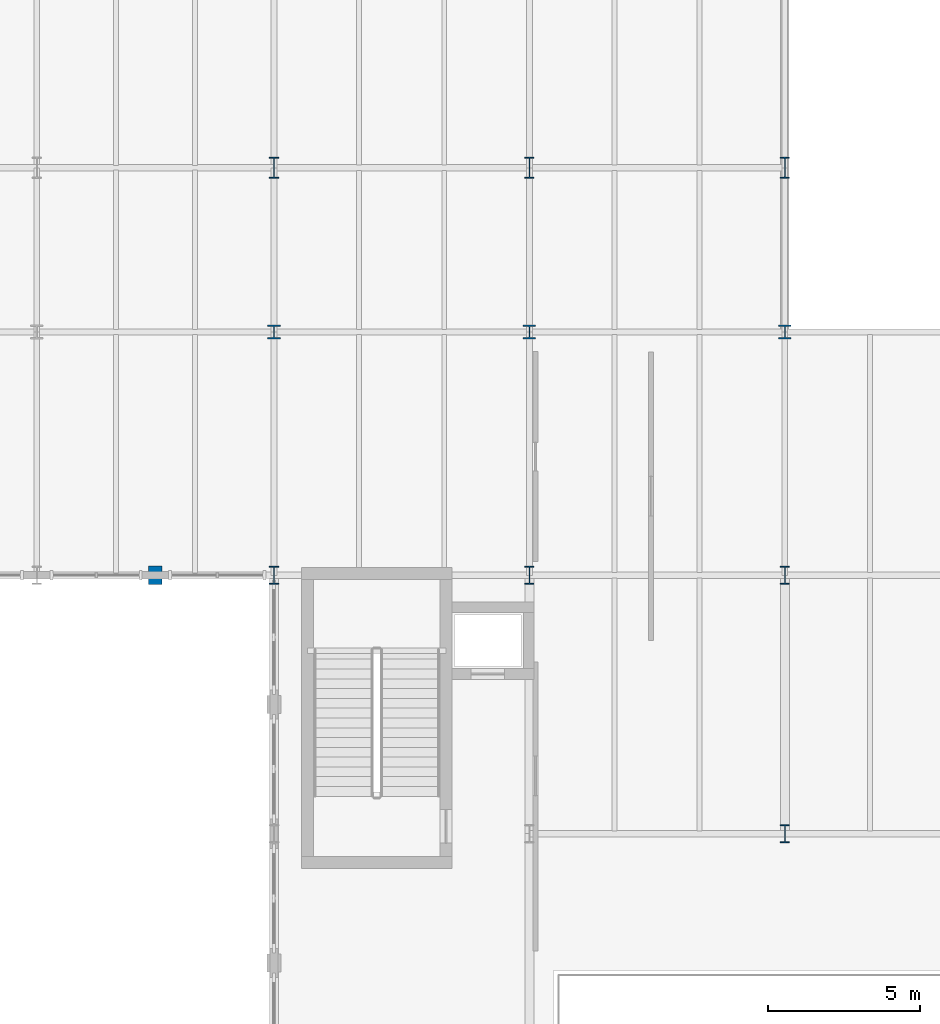
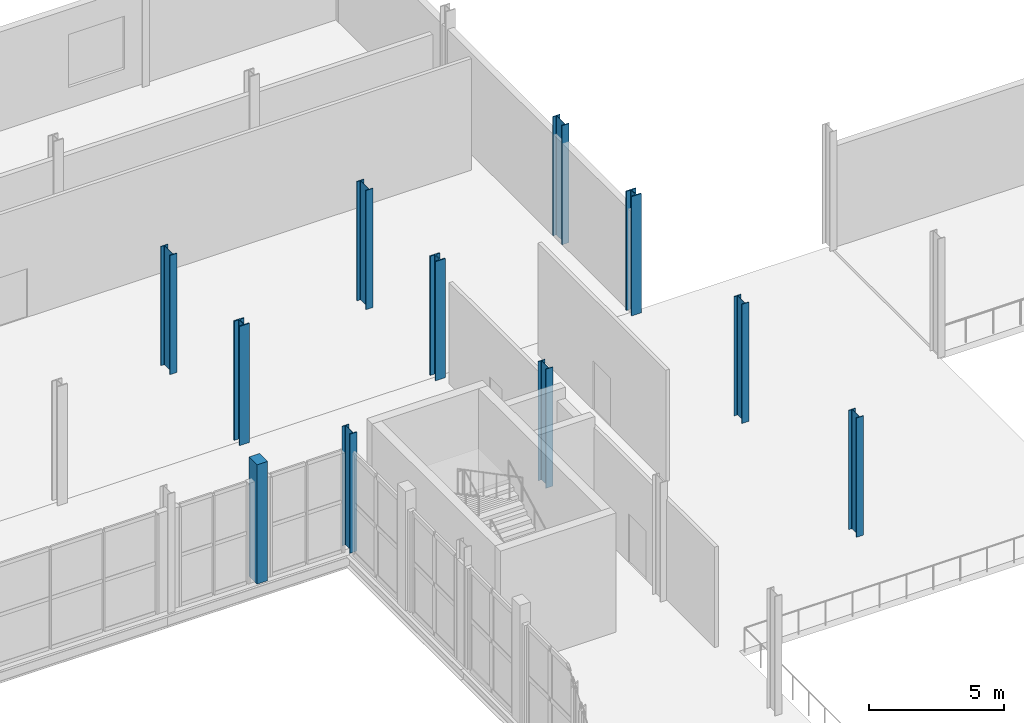
# One storey, part 11 of 78: 11 columns.
"""IFC4 building model written with IfcOpenShell, lengths in metres."""

from ifc_helpers import new_model, si_unit, direction, frame, origin, origin_2d, place, context, subcontext, project, spatial, rectangle, i_section, extrude, material, material_profile, profile_set, type_object, element, save


model = new_model("IFC4")

# Units and contexts
model_context = context("Model", 3, precision=1e-05, world=origin(), true_north=direction((0.0, 1.0)))
body_context = subcontext(model_context, "Body", "Model", "MODEL_VIEW")
ifc_project = project(units=[si_unit("LENGTHUNIT", "METRE"), si_unit("AREAUNIT", "SQUARE_METRE"), si_unit("VOLUMEUNIT", "CUBIC_METRE"), si_unit("PLANEANGLEUNIT", "RADIAN"), si_unit("MASSUNIT", "GRAM", prefix="KILO")], contexts=[model_context])

# Site, building, storey
site_placement = place(None, origin())
site = spatial("IfcSite", under=ifc_project, at=site_placement, CompositionType="ELEMENT")
building_placement = place(site_placement, origin())
building = spatial("IfcBuilding", under=site, at=building_placement, Name="Sefraquen Railside Congress Hotel", CompositionType="ELEMENT")
storey_placement = place(building_placement, frame((0.0, 0.0, 6.0)))
storey = spatial("IfcBuildingStorey", under=building, at=storey_placement, Name="L01", CompositionType="ELEMENT", Elevation=6.0)

# Columns
ifc_material_1 = material(Name="Steel S355J2", Category="steel")
ifc_material_profile_1 = material_profile(ifc_material_1, i_section(OverallWidth=0.416015625, OverallDepth=0.446044921875, WebThickness=0.035888671875, FlangeThickness=0.048095703125, FilletRadius=0.014892578125, at=origin_2d()), Name="HD 400x509")
ifc_profile_set_1 = profile_set([ifc_material_profile_1], Name="Steel S355J2")
column_type_1 = type_object("IfcColumnType", Name="TC-HD-509", PredefinedType="COLUMN", material=ifc_profile_set_1)
for number, where, z_axis, x_axis, name in (
    (1, (103.199951171875, 96.0, 0.0), (0.0, 0.0, 1.0), (1.0, 0.0, 0.0), "Structural column 14-M L01"),
    (2, (111.60009765625, 96.0, 0.0), (0.0, 0.0, 1.0), (1.0, 0.0, 0.0), "Structural column 15-M L01"),
    (3, (120.0, 96.0, 0.0), (0.0, 0.0, 1.0), (1.0, 0.0, 0.0), "Structural column 16-M L01"),
):
    element("IfcColumn", number, at=place(storey_placement, frame(where, z_axis=z_axis, x_axis=x_axis)), inside=storey, type_object=column_type_1, Name=name, PredefinedType="COLUMN", context=body_context, shape_type="SweptSolid", body=[
        extrude(i_section(OverallWidth=0.416015625, OverallDepth=0.446044921875, WebThickness=0.035888671875, FlangeThickness=0.048095703125, FilletRadius=0.014892578125, at=origin_2d()), origin(), (0.0, 0.0, 1.0), 5.39990234375),
    ])
ifc_material_2 = material(Name="Steel S355JR", Category="steel")
ifc_material_profile_2 = material_profile(ifc_material_2, i_section(OverallWidth=0.300048828125, OverallDepth=0.60009765625, WebThickness=0.015380859375, FlangeThickness=0.030029296875, FilletRadius=0.027099609375, at=origin_2d()), Name="HEB 600")
ifc_profile_set_2 = profile_set([ifc_material_profile_2], Name="Steel S355JR")
column_type_2 = type_object("IfcColumnType", Name="TC-HEB-600", PredefinedType="COLUMN", material=ifc_profile_set_2)
for number, where, z_axis, x_axis, name in (
    (4, (103.199951171875, 88.0, 0.0), (0.0, 0.0, 1.0), (1.0, 0.0, 0.0), "Structural column 14-L L01"),
    (5, (111.60009765625, 88.0, 0.0), (0.0, 0.0, 1.0), (1.0, 0.0, 0.0), "Structural column 15-L L01"),
    (6, (120.0, 79.5, 0.0), (0.0, 0.0, 1.0), (1.0, 0.0, 0.0), "Structural column 16-K L01"),
    (7, (120.0, 88.0, 0.0), (0.0, 0.0, 1.0), (1.0, 0.0, 0.0), "Structural column 16-L L01"),
):
    element("IfcColumn", number, at=place(storey_placement, frame(where, z_axis=z_axis, x_axis=x_axis)), inside=storey, type_object=column_type_2, Name=name, PredefinedType="COLUMN", context=body_context, shape_type="SweptSolid", body=[
        extrude(i_section(OverallWidth=0.300048828125, OverallDepth=0.60009765625, WebThickness=0.015380859375, FlangeThickness=0.030029296875, FilletRadius=0.027099609375, at=origin_2d()), origin(), (0.0, 0.0, 1.0), 5.39990234375),
    ])
ifc_material_profile_3 = material_profile(ifc_material_2, i_section(OverallWidth=0.300048828125, OverallDepth=0.699951171875, WebThickness=0.01708984375, FlangeThickness=0.031982421875, FilletRadius=0.027099609375, at=origin_2d()), Name="HEB 700")
ifc_profile_set_3 = profile_set([ifc_material_profile_3], Name="Steel S355JR")
column_type_3 = type_object("IfcColumnType", Name="TC-HEB-700", PredefinedType="COLUMN", material=ifc_profile_set_3)
for number, where, z_axis, x_axis, name in (
    (8, (103.199951171875, 101.39990234375, 0.0), (0.0, 0.0, 1.0), (1.0, 0.0, 0.0), "Structural column 14-N L01"),
    (9, (111.60009765625, 101.39990234375, 0.0), (0.0, 0.0, 1.0), (1.0, 0.0, 0.0), "Structural column 15-N L01"),
    (10, (120.0, 101.39990234375, 0.0), (0.0, 0.0, 1.0), (1.0, 0.0, 0.0), "Structural column 16-N L01"),
):
    element("IfcColumn", number, at=place(storey_placement, frame(where, z_axis=z_axis, x_axis=x_axis)), inside=storey, type_object=column_type_3, Name=name, PredefinedType="COLUMN", context=body_context, shape_type="SweptSolid", body=[
        extrude(i_section(OverallWidth=0.300048828125, OverallDepth=0.699951171875, WebThickness=0.01708984375, FlangeThickness=0.031982421875, FilletRadius=0.027099609375, at=origin_2d()), origin(), (0.0, 0.0, 1.0), 5.39990234375),
    ])
ifc_material_3 = material(Name="Concrete C50/60", Category="concrete")
ifc_material_profile_4 = material_profile(ifc_material_3, rectangle(XDim=0.449951171875, YDim=0.60009765625, at=origin_2d()), Name="RC 600x450")
ifc_profile_set_4 = profile_set([ifc_material_profile_4], Name="Concrete C50/60")
column_type_4 = type_object("IfcColumnType", Name="TC-PIL-600", PredefinedType="PILASTER", material=ifc_profile_set_4)
column_placement = place(storey_placement, frame((99.300048828125, 88.0, 0.0), z_axis=(0.0, 0.0, 1.0), x_axis=(1.0, 0.0, 0.0)))
element("IfcColumn", 11, at=column_placement, inside=storey, type_object=column_type_4, Name="Courtyard limestone pilaster CPIL-N3 L01", PredefinedType="PILASTER", context=body_context, shape_type="SweptSolid", body=[
    extrude(rectangle(XDim=0.449951171875, YDim=0.60009765625, at=origin_2d()), origin(), (0.0, 0.0, 1.0), 5.39990234375),
])

save(model, "model.ifc")
